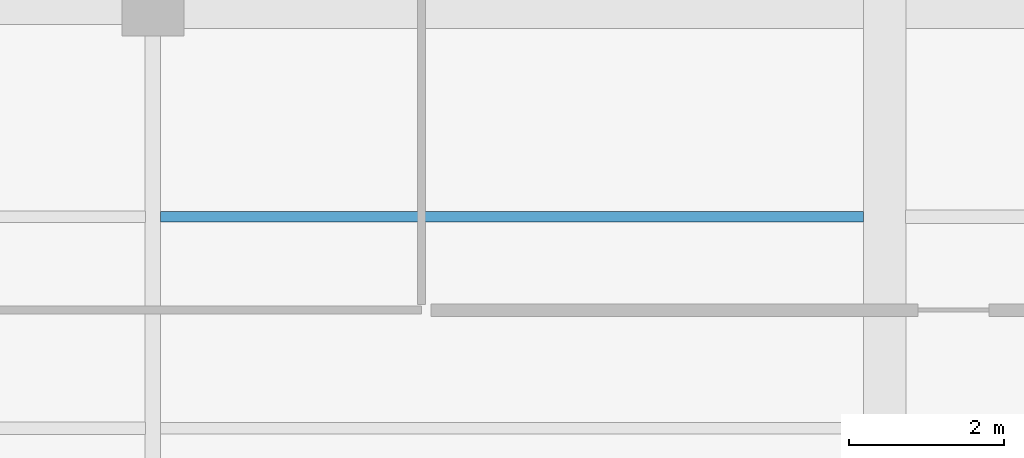
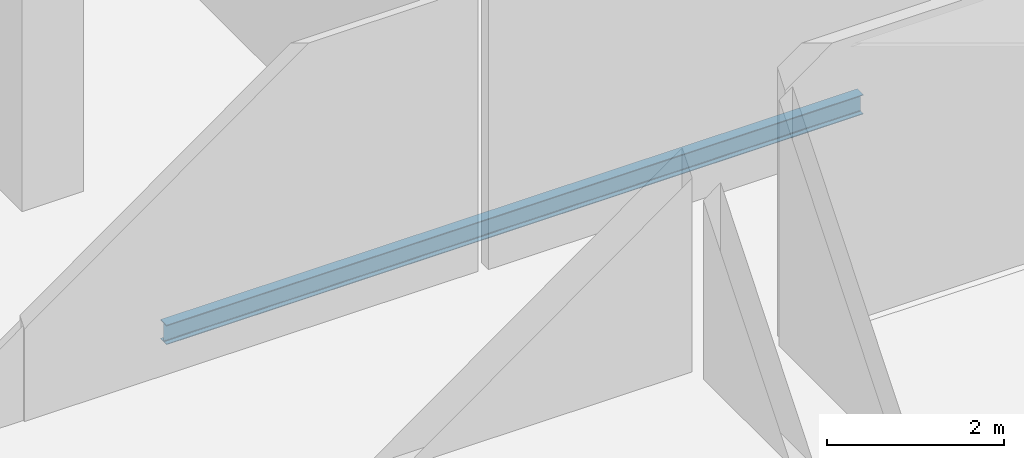
# One storey, part 14 of 165: 1 beam.
"""IFC4 building model written with IfcOpenShell, lengths in metres."""

from ifc_helpers import new_model, si_unit, direction, frame, origin, origin_2d, place, context, subcontext, project, spatial, i_section, extrude, material, material_profile, profile_set, type_object, element, save


model = new_model("IFC4")

# Units and contexts
model_context = context("Model", 3, precision=1e-05, world=origin(), true_north=direction((0.0, 1.0)))
body_context = subcontext(model_context, "Body", "Model", "MODEL_VIEW")
ifc_project = project(units=[si_unit("LENGTHUNIT", "METRE"), si_unit("AREAUNIT", "SQUARE_METRE"), si_unit("VOLUMEUNIT", "CUBIC_METRE"), si_unit("PLANEANGLEUNIT", "RADIAN"), si_unit("MASSUNIT", "GRAM", prefix="KILO")], contexts=[model_context])

# Site, building, storey
site_placement = place(None, origin())
site = spatial("IfcSite", under=ifc_project, at=site_placement, CompositionType="ELEMENT")
building_placement = place(site_placement, origin())
building = spatial("IfcBuilding", under=site, at=building_placement, Name="Qalavern Law Courts", CompositionType="ELEMENT")
storey_placement = place(building_placement, frame((0.0, 0.0, 14.39990234375)))
storey = spatial("IfcBuildingStorey", under=building, at=storey_placement, Name="L03", CompositionType="ELEMENT", Elevation=14.39990234375)

# Beam
ifc_material = material(Name="Steel S355", Category="steel")
ifc_material_profile = material_profile(ifc_material, i_section(OverallWidth=0.135009765625, OverallDepth=0.27001953125, WebThickness=0.006591796875, FlangeThickness=0.01025390625, FilletRadius=0.014892578125, at=origin_2d()), Name="IPE 270")
ifc_profile_set = profile_set([ifc_material_profile], Name="Steel S355")
beam_type = type_object("IfcBeamType", Name="STR-JST-IPE270", PredefinedType="JOIST", material=ifc_profile_set)
beam_placement = place(storey_placement, frame((44.17236328125, 19.2666015625, -0.419921875), z_axis=(1.0, 0.0, 0.0), x_axis=(0.0, 1.0, 0.0)))
element("IfcBeam", 1, at=beam_placement, inside=storey, type_object=beam_type, Name="V2 secondary joist 2.2.2 L03", PredefinedType="JOIST", context=body_context, shape_type="SweptSolid", body=[
    extrude(i_section(OverallWidth=0.135009765625, OverallDepth=0.27001953125, WebThickness=0.006591796875, FlangeThickness=0.01025390625, FilletRadius=0.014892578125, at=origin_2d()), origin(), (0.0, 0.0, 1.0), 9.083251953125),
])

save(model, "model.ifc")
